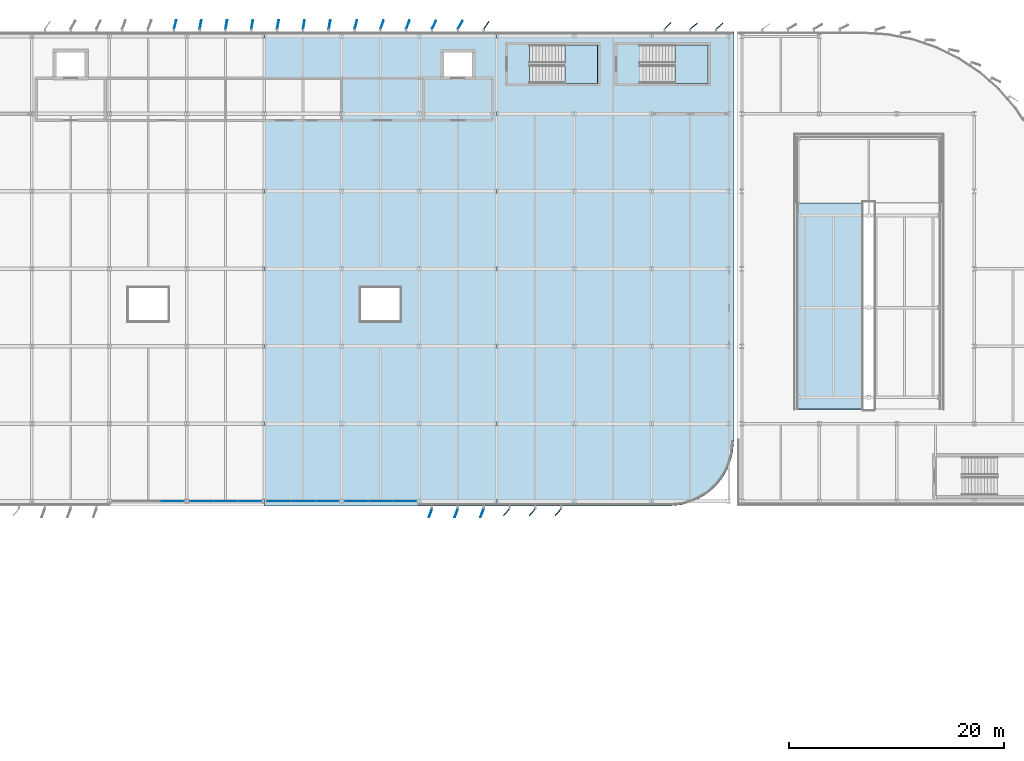
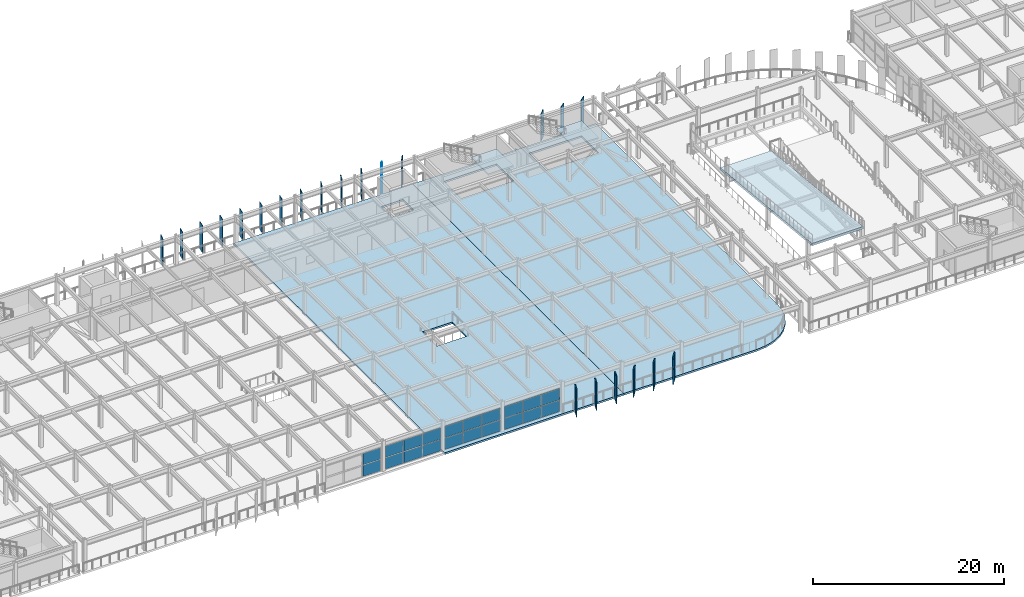
# One storey, part 41 of 80: 42 plates, 5 slabs, 6 elements without a shape of their own.
"""IFC4 building model written with IfcOpenShell, lengths in metres."""

from ifc_helpers import new_model, si_unit, direction, frame, origin, origin_2d, place, context, subcontext, project, spatial, polyline, rectangle, outline, extrude, material, layer, layer_set, type_object, element, aggregate, save


model = new_model("IFC4")

# Units and contexts
model_context = context("Model", 3, precision=1e-05, world=origin(), true_north=direction((0.0, 1.0)))
body_context = subcontext(model_context, "Body", "Model", "MODEL_VIEW")
ifc_project = project(units=[si_unit("LENGTHUNIT", "METRE"), si_unit("AREAUNIT", "SQUARE_METRE"), si_unit("VOLUMEUNIT", "CUBIC_METRE"), si_unit("PLANEANGLEUNIT", "RADIAN"), si_unit("MASSUNIT", "GRAM", prefix="KILO")], contexts=[model_context])

# Site, building, storey
site_placement = place(None, origin())
site = spatial("IfcSite", under=ifc_project, at=site_placement, CompositionType="ELEMENT")
building_placement = place(site_placement, origin())
building = spatial("IfcBuilding", under=site, at=building_placement, Name="Vaelcorin Mobility Hub", CompositionType="ELEMENT")
storey_placement = place(building_placement, frame((0.0, 0.0, 9.300048828125)))
storey = spatial("IfcBuildingStorey", under=building, at=storey_placement, Name="L02", CompositionType="ELEMENT", Elevation=9.300048828125)

# Curtain wall, plates
ifc_material_1 = material(Name="Anodised aluminium 6063-T6", Category="aluminium")
curtain_wall_type = type_object("IfcCurtainWallType", Name="CW-MOB-A", PredefinedType="NOTDEFINED", material=ifc_material_1)
curtain_wall_1_placement = place(storey_placement, origin())
curtain_wall_1 = element("IfcCurtainWall", 1, at=curtain_wall_1_placement, inside=storey, type_object=curtain_wall_type, Name="L02 Curtain Wall CW-V4-L02-S-05", PredefinedType="NOTDEFINED")
ifc_material_2 = material(Name="Low-E solar-control insulated glazing", Category="glass")
ifc_layer_1 = layer(ifc_material_2, 0.028076171875)
ifc_layer_set_1 = layer_set([ifc_layer_1], Name="Low-E solar-control insulated glazing")
plate_type_1 = type_object("IfcPlateType", Name="CW-PAN-GLZ28", PredefinedType="CURTAIN_PANEL", material=ifc_layer_set_1)
plate_1_placement = place(storey_placement, frame((70.638427734375, 76.800048828125, 0.06005859375), z_axis=(0.0, 0.0, 1.0), x_axis=(-1.0, 0.0, 0.0)))
plate_1 = element("IfcPlate", 2, at=plate_1_placement, type_object=plate_type_1, Name="CW7 panel 1.1", PredefinedType="CURTAIN_PANEL", context=body_context, shape_type="SweptSolid", body=[
    extrude(rectangle(XDim=2.163330078125, YDim=0.028076171875, at=origin_2d()), origin(), (0.0, 0.0, 1.0), 1.44189453125),
])
plate_2_placement = place(storey_placement, frame((70.638427734375, 76.800048828125, 1.56201171875), z_axis=(0.0, 0.0, 1.0), x_axis=(-1.0, 0.0, 0.0)))
plate_2 = element("IfcPlate", 3, at=plate_2_placement, type_object=plate_type_1, Name="CW7 panel 1.2", PredefinedType="CURTAIN_PANEL", context=body_context, shape_type="SweptSolid", body=[
    extrude(rectangle(XDim=2.163330078125, YDim=0.028076171875, at=origin_2d()), origin(), (0.0, 0.0, 1.0), 1.44091796875),
])
aggregate(curtain_wall_1, [plate_1, plate_2])

curtain_wall_2_placement = place(storey_placement, origin())
curtain_wall_2 = element("IfcCurtainWall", 4, at=curtain_wall_2_placement, inside=storey, type_object=curtain_wall_type, Name="L02 Curtain Wall CW-V4-L02-S-06", PredefinedType="NOTDEFINED")
plate_3_placement = place(storey_placement, frame((77.83837890625, 76.800048828125, 0.06005859375), z_axis=(0.0, 0.0, 1.0), x_axis=(-1.0, 0.0, 0.0)))
plate_3 = element("IfcPlate", 5, at=plate_3_placement, type_object=plate_type_1, Name="CW7 panel 1.1", PredefinedType="CURTAIN_PANEL", context=body_context, shape_type="SweptSolid", body=[
    extrude(rectangle(XDim=2.163330078125, YDim=0.028076171875, at=origin_2d()), origin(), (0.0, 0.0, 1.0), 1.44189453125),
])
plate_4_placement = place(storey_placement, frame((77.83837890625, 76.800048828125, 1.56201171875), z_axis=(0.0, 0.0, 1.0), x_axis=(-1.0, 0.0, 0.0)))
plate_4 = element("IfcPlate", 6, at=plate_4_placement, type_object=plate_type_1, Name="CW7 panel 1.2", PredefinedType="CURTAIN_PANEL", context=body_context, shape_type="SweptSolid", body=[
    extrude(rectangle(XDim=2.163330078125, YDim=0.028076171875, at=origin_2d()), origin(), (0.0, 0.0, 1.0), 1.44091796875),
])
plate_5_placement = place(storey_placement, frame((75.60009765625, 76.800048828125, 0.06005859375), z_axis=(0.0, 0.0, 1.0), x_axis=(-1.0, 0.0, 0.0)))
plate_5 = element("IfcPlate", 7, at=plate_5_placement, type_object=plate_type_1, Name="CW7 panel 2.1", PredefinedType="CURTAIN_PANEL", context=body_context, shape_type="SweptSolid", body=[
    extrude(rectangle(XDim=2.193359375, YDim=0.028076171875, at=origin_2d()), origin(), (0.0, 0.0, 1.0), 1.44189453125),
])
plate_6_placement = place(storey_placement, frame((75.60009765625, 76.800048828125, 1.56201171875), z_axis=(0.0, 0.0, 1.0), x_axis=(-1.0, 0.0, 0.0)))
plate_6 = element("IfcPlate", 8, at=plate_6_placement, type_object=plate_type_1, Name="CW7 panel 2.2", PredefinedType="CURTAIN_PANEL", context=body_context, shape_type="SweptSolid", body=[
    extrude(rectangle(XDim=2.193359375, YDim=0.028076171875, at=origin_2d()), origin(), (0.0, 0.0, 1.0), 1.44091796875),
])
plate_7_placement = place(storey_placement, frame((73.361572265625, 76.800048828125, 0.06005859375), z_axis=(0.0, 0.0, 1.0), x_axis=(-1.0, 0.0, 0.0)))
plate_7 = element("IfcPlate", 9, at=plate_7_placement, type_object=plate_type_1, Name="CW7 panel 3.1", PredefinedType="CURTAIN_PANEL", context=body_context, shape_type="SweptSolid", body=[
    extrude(rectangle(XDim=2.163330078125, YDim=0.028076171875, at=origin_2d()), origin(), (0.0, 0.0, 1.0), 1.44189453125),
])
plate_8_placement = place(storey_placement, frame((73.361572265625, 76.800048828125, 1.56201171875), z_axis=(0.0, 0.0, 1.0), x_axis=(-1.0, 0.0, 0.0)))
plate_8 = element("IfcPlate", 10, at=plate_8_placement, type_object=plate_type_1, Name="CW7 panel 3.2", PredefinedType="CURTAIN_PANEL", context=body_context, shape_type="SweptSolid", body=[
    extrude(rectangle(XDim=2.163330078125, YDim=0.028076171875, at=origin_2d()), origin(), (0.0, 0.0, 1.0), 1.44091796875),
])
aggregate(curtain_wall_2, [plate_3, plate_4, plate_5, plate_6, plate_7, plate_8])

curtain_wall_3_placement = place(storey_placement, origin())
curtain_wall_3 = element("IfcCurtainWall", 11, at=curtain_wall_3_placement, inside=storey, type_object=curtain_wall_type, Name="L02 Curtain Wall CW-V4-L02-S-07", PredefinedType="NOTDEFINED")
plate_9_placement = place(storey_placement, frame((85.038330078125, 76.800048828125, 0.06005859375), z_axis=(0.0, 0.0, 1.0), x_axis=(-1.0, 0.0, 0.0)))
plate_9 = element("IfcPlate", 12, at=plate_9_placement, type_object=plate_type_1, Name="CW7 panel 1.1", PredefinedType="CURTAIN_PANEL", context=body_context, shape_type="SweptSolid", body=[
    extrude(rectangle(XDim=2.163330078125, YDim=0.028076171875, at=origin_2d()), origin(), (0.0, 0.0, 1.0), 1.44189453125),
])
plate_10_placement = place(storey_placement, frame((85.038330078125, 76.800048828125, 1.56201171875), z_axis=(0.0, 0.0, 1.0), x_axis=(-1.0, 0.0, 0.0)))
plate_10 = element("IfcPlate", 13, at=plate_10_placement, type_object=plate_type_1, Name="CW7 panel 1.2", PredefinedType="CURTAIN_PANEL", context=body_context, shape_type="SweptSolid", body=[
    extrude(rectangle(XDim=2.163330078125, YDim=0.028076171875, at=origin_2d()), origin(), (0.0, 0.0, 1.0), 1.44091796875),
])
plate_11_placement = place(storey_placement, frame((82.800048828125, 76.800048828125, 0.06005859375), z_axis=(0.0, 0.0, 1.0), x_axis=(-1.0, 0.0, 0.0)))
plate_11 = element("IfcPlate", 14, at=plate_11_placement, type_object=plate_type_1, Name="CW7 panel 2.1", PredefinedType="CURTAIN_PANEL", context=body_context, shape_type="SweptSolid", body=[
    extrude(rectangle(XDim=2.193359375, YDim=0.028076171875, at=origin_2d()), origin(), (0.0, 0.0, 1.0), 1.44189453125),
])
plate_12_placement = place(storey_placement, frame((82.800048828125, 76.800048828125, 1.56201171875), z_axis=(0.0, 0.0, 1.0), x_axis=(-1.0, 0.0, 0.0)))
plate_12 = element("IfcPlate", 15, at=plate_12_placement, type_object=plate_type_1, Name="CW7 panel 2.2", PredefinedType="CURTAIN_PANEL", context=body_context, shape_type="SweptSolid", body=[
    extrude(rectangle(XDim=2.193359375, YDim=0.028076171875, at=origin_2d()), origin(), (0.0, 0.0, 1.0), 1.44091796875),
])
plate_13_placement = place(storey_placement, frame((80.561767578125, 76.800048828125, 0.06005859375), z_axis=(0.0, 0.0, 1.0), x_axis=(-1.0, 0.0, 0.0)))
plate_13 = element("IfcPlate", 16, at=plate_13_placement, type_object=plate_type_1, Name="CW7 panel 3.1", PredefinedType="CURTAIN_PANEL", context=body_context, shape_type="SweptSolid", body=[
    extrude(rectangle(XDim=2.163330078125, YDim=0.028076171875, at=origin_2d()), origin(), (0.0, 0.0, 1.0), 1.44189453125),
])
plate_14_placement = place(storey_placement, frame((80.561767578125, 76.800048828125, 1.56201171875), z_axis=(0.0, 0.0, 1.0), x_axis=(-1.0, 0.0, 0.0)))
plate_14 = element("IfcPlate", 17, at=plate_14_placement, type_object=plate_type_1, Name="CW7 panel 3.2", PredefinedType="CURTAIN_PANEL", context=body_context, shape_type="SweptSolid", body=[
    extrude(rectangle(XDim=2.163330078125, YDim=0.028076171875, at=origin_2d()), origin(), (0.0, 0.0, 1.0), 1.44091796875),
])
aggregate(curtain_wall_3, [plate_9, plate_10, plate_11, plate_12, plate_13, plate_14])

curtain_wall_4_placement = place(storey_placement, origin())
curtain_wall_4 = element("IfcCurtainWall", 18, at=curtain_wall_4_placement, inside=storey, type_object=curtain_wall_type, Name="L02 Curtain Wall CW-V4-L02-S-08", PredefinedType="NOTDEFINED")
plate_15_placement = place(storey_placement, frame((92.23828125, 76.800048828125, 0.06005859375), z_axis=(0.0, 0.0, 1.0), x_axis=(-1.0, 0.0, 0.0)))
plate_15 = element("IfcPlate", 19, at=plate_15_placement, type_object=plate_type_1, Name="CW7 panel 1.1", PredefinedType="CURTAIN_PANEL", context=body_context, shape_type="SweptSolid", body=[
    extrude(rectangle(XDim=2.163330078125, YDim=0.028076171875, at=origin_2d()), origin(), (0.0, 0.0, 1.0), 1.44189453125),
])
plate_16_placement = place(storey_placement, frame((92.23828125, 76.800048828125, 1.56201171875), z_axis=(0.0, 0.0, 1.0), x_axis=(-1.0, 0.0, 0.0)))
plate_16 = element("IfcPlate", 20, at=plate_16_placement, type_object=plate_type_1, Name="CW7 panel 1.2", PredefinedType="CURTAIN_PANEL", context=body_context, shape_type="SweptSolid", body=[
    extrude(rectangle(XDim=2.163330078125, YDim=0.028076171875, at=origin_2d()), origin(), (0.0, 0.0, 1.0), 1.44091796875),
])
plate_17_placement = place(storey_placement, frame((90.0, 76.800048828125, 0.06005859375), z_axis=(0.0, 0.0, 1.0), x_axis=(-1.0, 0.0, 0.0)))
plate_17 = element("IfcPlate", 21, at=plate_17_placement, type_object=plate_type_1, Name="CW7 panel 2.1", PredefinedType="CURTAIN_PANEL", context=body_context, shape_type="SweptSolid", body=[
    extrude(rectangle(XDim=2.193359375, YDim=0.028076171875, at=origin_2d()), origin(), (0.0, 0.0, 1.0), 1.44189453125),
])
plate_18_placement = place(storey_placement, frame((90.0, 76.800048828125, 1.56201171875), z_axis=(0.0, 0.0, 1.0), x_axis=(-1.0, 0.0, 0.0)))
plate_18 = element("IfcPlate", 22, at=plate_18_placement, type_object=plate_type_1, Name="CW7 panel 2.2", PredefinedType="CURTAIN_PANEL", context=body_context, shape_type="SweptSolid", body=[
    extrude(rectangle(XDim=2.193359375, YDim=0.028076171875, at=origin_2d()), origin(), (0.0, 0.0, 1.0), 1.44091796875),
])
plate_19_placement = place(storey_placement, frame((87.76171875, 76.800048828125, 0.06005859375), z_axis=(0.0, 0.0, 1.0), x_axis=(-1.0, 0.0, 0.0)))
plate_19 = element("IfcPlate", 23, at=plate_19_placement, type_object=plate_type_1, Name="CW7 panel 3.1", PredefinedType="CURTAIN_PANEL", context=body_context, shape_type="SweptSolid", body=[
    extrude(rectangle(XDim=2.163330078125, YDim=0.028076171875, at=origin_2d()), origin(), (0.0, 0.0, 1.0), 1.44189453125),
])
plate_20_placement = place(storey_placement, frame((87.76171875, 76.800048828125, 1.56201171875), z_axis=(0.0, 0.0, 1.0), x_axis=(-1.0, 0.0, 0.0)))
plate_20 = element("IfcPlate", 24, at=plate_20_placement, type_object=plate_type_1, Name="CW7 panel 3.2", PredefinedType="CURTAIN_PANEL", context=body_context, shape_type="SweptSolid", body=[
    extrude(rectangle(XDim=2.163330078125, YDim=0.028076171875, at=origin_2d()), origin(), (0.0, 0.0, 1.0), 1.44091796875),
])
aggregate(curtain_wall_4, [plate_15, plate_16, plate_17, plate_18, plate_19, plate_20])

# Plates
ifc_material_3 = material(Name="Perforated terracotta-bronze aluminium aerofoil", Category="masonry")
ifc_layer_2 = layer(ifc_material_3, 0.06494140625)
ifc_layer_set_2 = layer_set([ifc_layer_2], Name="Perforated terracotta-bronze aluminium aerofoil")
plate_type_2 = type_object("IfcPlateType", Name="PL-FIN-AF2", PredefinedType="SHEET", material=ifc_layer_set_2)
for number, where, z_axis, x_axis, name in (
    (25, (70.909912109375, 121.10107421875, -0.16015625), (0.0, 0.0, 1.0), (0.258819045103, 0.965925826289, 0.0), "Rotating Terracotta-Bronze Aerofoil Fin FIN-V4-L02-N-05-AF-03"),
    (26, (73.27392578125, 121.10888671875, -0.16015625), (0.0, 0.0, 1.0), (0.173648177667, 0.984807753012, 0.0), "Rotating Terracotta-Bronze Aerofoil Fin FIN-V4-L02-N-06-AF-01"),
    (27, (75.674072265625, 121.10888671875, -0.16015625), (0.0, 0.0, 1.0), (0.173648177667, 0.984807753012, 0.0), "Rotating Terracotta-Bronze Aerofoil Fin FIN-V4-L02-N-06-AF-02"),
    (28, (78.073974609375, 121.10888671875, -0.16015625), (0.0, 0.0, 1.0), (0.173648177667, 0.984807753012, 0.0), "Rotating Terracotta-Bronze Aerofoil Fin FIN-V4-L02-N-06-AF-03"),
    (29, (80.47412109375, 121.10888671875, -0.16015625), (0.0, 0.0, 1.0), (0.173648177667, 0.984807753012, 0.0), "Rotating Terracotta-Bronze Aerofoil Fin FIN-V4-L02-N-07-AF-01"),
    (30, (82.8740234375, 121.10888671875, -0.16015625), (0.0, 0.0, 1.0), (0.173648177667, 0.984807753012, 0.0), "Rotating Terracotta-Bronze Aerofoil Fin FIN-V4-L02-N-07-AF-02"),
    (31, (85.27392578125, 121.10888671875, -0.16015625), (0.0, 0.0, 1.0), (0.173648177667, 0.984807753012, 0.0), "Rotating Terracotta-Bronze Aerofoil Fin FIN-V4-L02-N-07-AF-03"),
    (32, (87.7099609375, 121.10107421875, -0.16015625), (0.0, 0.0, 1.0), (0.258819045103, 0.965925826289, 0.0), "Rotating Terracotta-Bronze Aerofoil Fin FIN-V4-L02-N-08-AF-01"),
    (33, (90.14501953125, 121.089111328125, -0.16015625), (0.0, 0.0, 1.0), (0.342020143326, 0.939692620786, 0.0), "Rotating Terracotta-Bronze Aerofoil Fin FIN-V4-L02-N-08-AF-02"),
    (34, (92.544921875, 121.089111328125, -0.16015625), (0.0, 0.0, 1.0), (0.342020143326, 0.939692620786, 0.0), "Rotating Terracotta-Bronze Aerofoil Fin FIN-V4-L02-N-08-AF-03"),
    (35, (94.97998046875, 121.074951171875, -0.16015625), (0.0, 0.0, 1.0), (0.422618261741, 0.906307787037, 0.0), "Rotating Terracotta-Bronze Aerofoil Fin FIN-V4-L02-N-09-AF-01"),
    (36, (97.412109375, 121.05810546875, -0.16015625), (0.0, 0.0, 1.0), (0.5, 0.866025403784, 0.0), "Rotating Terracotta-Bronze Aerofoil Fin FIN-V4-L02-N-09-AF-02"),
    (37, (99.843994140625, 121.0380859375, -0.16015625), (0.0, 0.0, 1.0), (0.573576436351, 0.819152044289, 0.0), "Rotating Terracotta-Bronze Aerofoil Fin FIN-V4-L02-N-09-AF-03"),
    (38, (116.700927734375, 120.990966796875, -0.16015625), (0.0, 0.0, 1.0), (0.707106781187, 0.707106781187, 0.0), "Rotating Terracotta-Bronze Aerofoil Fin FIN-V4-L02-N-12-AF-01"),
    (39, (119.1259765625, 120.962890625, -0.16015625), (0.0, 0.0, 1.0), (0.766044443119, 0.642787609687, 0.0), "Rotating Terracotta-Bronze Aerofoil Fin FIN-V4-L02-N-12-AF-02"),
    (40, (121.52587890625, 120.962890625, -0.16015625), (0.0, 0.0, 1.0), (0.766044443119, 0.642787609687, 0.0), "Rotating Terracotta-Bronze Aerofoil Fin FIN-V4-L02-N-12-AF-03"),
):
    element("IfcPlate", number, at=place(storey_placement, frame(where, z_axis=z_axis, x_axis=x_axis)), inside=storey, type_object=plate_type_2, Name=name, PredefinedType="SHEET", context=body_context, shape_type="SweptSolid", body=[
        extrude(rectangle(XDim=0.85009765625, YDim=0.06494140625, at=origin_2d()), origin(), (0.0, 0.0, 1.0), 3.5),
    ])
ifc_layer_3 = layer(ifc_material_3, 0.070068359375)
ifc_layer_set_3 = layer_set([ifc_layer_3], Name="Perforated terracotta-bronze aluminium aerofoil")
plate_type_3 = type_object("IfcPlateType", Name="PL-FIN-AF3", PredefinedType="SHEET", material=ifc_layer_set_3)
for number, where, z_axis, x_axis, name in (
    (41, (99.455078125, 75.7109375, -0.16015625), (0.0, 0.0, 1.0), (-0.342020143326, -0.939692620786, 0.0), "Rotating Terracotta-Bronze Aerofoil Fin FIN-V4-L02-S-09-AF-01"),
    (42, (97.054931640625, 75.7109375, -0.16015625), (0.0, 0.0, 1.0), (-0.342020143326, -0.939692620786, 0.0), "Rotating Terracotta-Bronze Aerofoil Fin FIN-V4-L02-S-09-AF-02"),
    (43, (94.655029296875, 75.7109375, -0.16015625), (0.0, 0.0, 1.0), (-0.342020143326, -0.939692620786, 0.0), "Rotating Terracotta-Bronze Aerofoil Fin FIN-V4-L02-S-09-AF-03"),
    (44, (106.527099609375, 75.783935546875, -0.16015625), (0.0, 0.0, 1.0), (-0.642787609687, -0.766044443119, 0.0), "Rotating Terracotta-Bronze Aerofoil Fin FIN-V4-L02-S-10-AF-01"),
    (45, (104.126953125, 75.783935546875, -0.16015625), (0.0, 0.0, 1.0), (-0.642787609687, -0.766044443119, 0.0), "Rotating Terracotta-Bronze Aerofoil Fin FIN-V4-L02-S-10-AF-02"),
    (46, (101.72705078125, 75.783935546875, -0.16015625), (0.0, 0.0, 1.0), (-0.642787609687, -0.766044443119, 0.0), "Rotating Terracotta-Bronze Aerofoil Fin FIN-V4-L02-S-10-AF-03"),
):
    element("IfcPlate", number, at=place(storey_placement, frame(where, z_axis=z_axis, x_axis=x_axis)), inside=storey, type_object=plate_type_3, Name=name, PredefinedType="SHEET", context=body_context, shape_type="SweptSolid", body=[
        extrude(rectangle(XDim=0.85009765625, YDim=0.070068359375, at=origin_2d()), origin(), (0.0, 0.0, 1.0), 3.5),
    ])

# Stair, slab
ifc_material_4 = material(Name="Reinforced concrete f'c 45 MPa", Category="concrete")
stair_type_1 = type_object("IfcStairType", Name="STAIR-ST4", PredefinedType="HALF_TURN_STAIR", material=ifc_material_4)
stair_1_placement = place(storey_placement, origin())
stair_1 = element("IfcStair", 47, at=stair_1_placement, inside=storey, type_object=stair_type_1, Name="L02 Protected Exit Stair ST4", PredefinedType="HALF_TURN_STAIR")
ifc_layer_4 = layer(ifc_material_4, 0.199951171875)
ifc_layer_set_4 = layer_set([ifc_layer_4], Name="Reinforced concrete f'c 45 MPa")
slab_type_1 = type_object("IfcSlabType", Name="SLAB-LND-200", PredefinedType="LANDING", material=ifc_layer_set_4)
slab_1_placement = place(storey_placement, frame((0.0, 0.0, 1.75)))
slab_1 = element("IfcSlab", 48, at=slab_1_placement, type_object=slab_type_1, Name="ST4 landing 1", PredefinedType="LANDING", context=body_context, shape_type="SweptSolid", body=[
    extrude(outline(polyline([(107.14990234375, 115.64990234375), (110.199951171875, 115.64990234375), (110.199951171875, 119.2099609375), (107.14990234375, 119.2099609375), (107.14990234375, 115.64990234375)])), origin(), (0.0, 0.0, 1.0), 0.199951171875),
])
aggregate(stair_1, [slab_1])

stair_type_2 = type_object("IfcStairType", Name="STAIR-ST9", PredefinedType="HALF_TURN_STAIR", material=ifc_material_4)
stair_2_placement = place(storey_placement, origin())
stair_2 = element("IfcStair", 49, at=stair_2_placement, inside=storey, type_object=stair_type_2, Name="L02 Protected Exit Stair ST9", PredefinedType="HALF_TURN_STAIR")
slab_2_placement = place(storey_placement, frame((0.0, 0.0, 1.75)))
slab_2 = element("IfcSlab", 50, at=slab_2_placement, type_object=slab_type_1, Name="ST9 landing 1", PredefinedType="LANDING", context=body_context, shape_type="SweptSolid", body=[
    extrude(outline(polyline([(117.39990234375, 115.64990234375), (120.449951171875, 115.64990234375), (120.449951171875, 119.2099609375), (117.39990234375, 119.2099609375), (117.39990234375, 115.64990234375)])), origin(), (0.0, 0.0, 1.0), 0.199951171875),
])
aggregate(stair_2, [slab_2])

# Slabs
ifc_material_5 = material(Name="Concrete f'c 35 MPa", Category="concrete")
ifc_layer_5 = layer(ifc_material_5, 0.22998046875)
ifc_layer_set_5 = layer_set([ifc_layer_5], Name="Concrete f'c 35 MPa")
slab_type_2 = type_object("IfcSlabType", Name="SLAB-PK3", PredefinedType="FLOOR", material=ifc_layer_set_5)
slab_3_placement = place(storey_placement, frame((0.0, 0.0, -0.22998046875)))
element("IfcSlab", 51, at=slab_3_placement, inside=storey, type_object=slab_type_2, Name="L02 EV Mobility Deck SL-V4-L02-Q3", PredefinedType="FLOOR", context=body_context, shape_type="SweptSolid", body=[
    extrude(outline(polyline([(79.199951171875, 120.449951171875), (100.800048828125, 120.449951171875), (100.800048828125, 76.35009765625), (79.199951171875, 76.35009765625), (79.199951171875, 120.449951171875)]), holes=[polyline([(91.800048828125, 96.60009765625), (88.199951171875, 96.60009765625), (88.199951171875, 93.60009765625), (91.800048828125, 93.60009765625), (91.800048828125, 96.60009765625)]), polyline([(98.5, 118.5), (95.89990234375, 118.5), (95.89990234375, 116.300048828125), (98.5, 116.300048828125), (98.5, 118.5)])]), origin(), (0.0, 0.0, 1.0), 0.22998046875),
])
slab_4_placement = place(storey_placement, frame((0.0, 0.0, -0.22998046875)))
element("IfcSlab", 52, at=slab_4_placement, inside=storey, type_object=slab_type_2, Name="L02 EV Mobility Deck SL-V4-L02-Q4", PredefinedType="FLOOR", context=body_context, shape_type="SweptSolid", body=[
    extrude(outline(polyline([(122.39306640625, 80.053955078125), (121.839111328125, 79.01708984375), (121.093017578125, 78.10693359375), (120.18310546875, 77.361083984375), (119.14599609375, 76.806884765625), (118.02099609375, 76.465087890625), (116.85009765625, 76.35009765625), (100.800048828125, 76.35009765625), (100.800048828125, 120.449951171875), (122.85009765625, 120.449951171875), (122.85009765625, 82.35009765625), (122.735107421875, 81.178955078125), (122.39306640625, 80.053955078125)]), holes=[polyline([(110.199951171875, 119.2099609375), (103.85498046875, 119.2099609375), (103.85498046875, 115.64990234375), (110.199951171875, 115.64990234375), (110.199951171875, 119.2099609375)]), polyline([(120.449951171875, 119.2099609375), (114.10498046875, 119.2099609375), (114.10498046875, 115.64990234375), (120.449951171875, 115.64990234375), (120.449951171875, 119.2099609375)])]), origin(), (0.0, 0.0, 1.0), 0.22998046875),
])
ifc_layer_6 = layer(ifc_material_5, 0.280029296875)
ifc_layer_set_6 = layer_set([ifc_layer_6], Name="Concrete f'c 35 MPa")
slab_type_3 = type_object("IfcSlabType", Name="SLAB-RMP-VR2", PredefinedType="FLOOR", material=ifc_layer_set_6)
slab_5_placement = place(storey_placement, frame((128.699951171875, 85.360107421875, 3.89990234375), z_axis=(0.0, 0.101144847313, 0.994871710253), x_axis=(1.0, 0.0, 0.0)))
element("IfcSlab", 53, at=slab_5_placement, inside=storey, type_object=slab_type_3, Name="Vehicle Ramp VR-2 Slab L02 Flight 2", PredefinedType="FLOOR", context=body_context, shape_type="SweptSolid", body=[
    extrude(outline(polyline([(0.0, 0.0), (6.199951171875, 0.0), (6.199951171875, 19.27879890739422), (0.0, 19.27879890739422), (0.0, 0.0)])), origin(), (0.0, 0.0, -1.0), 0.280029296875),
])

save(model, "model.ifc")
